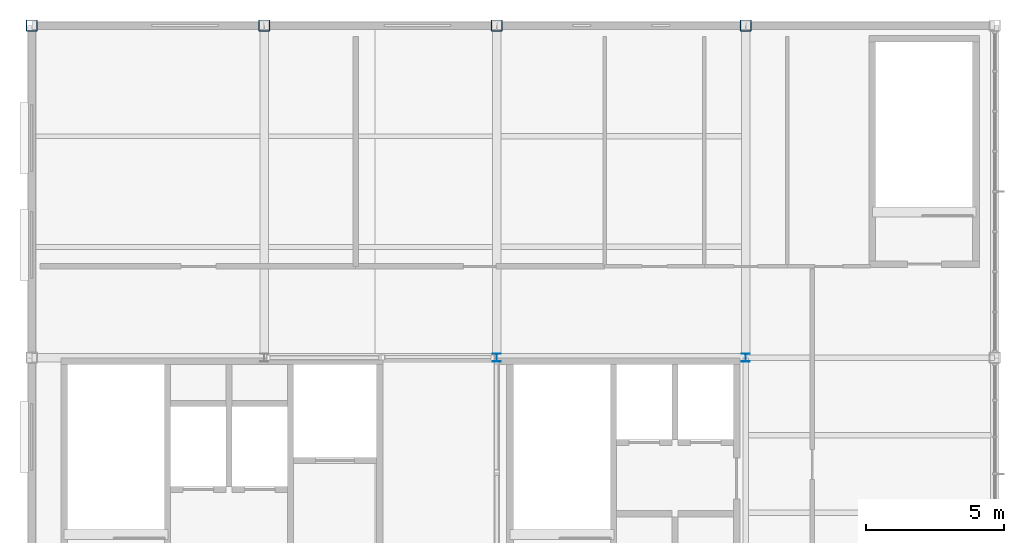
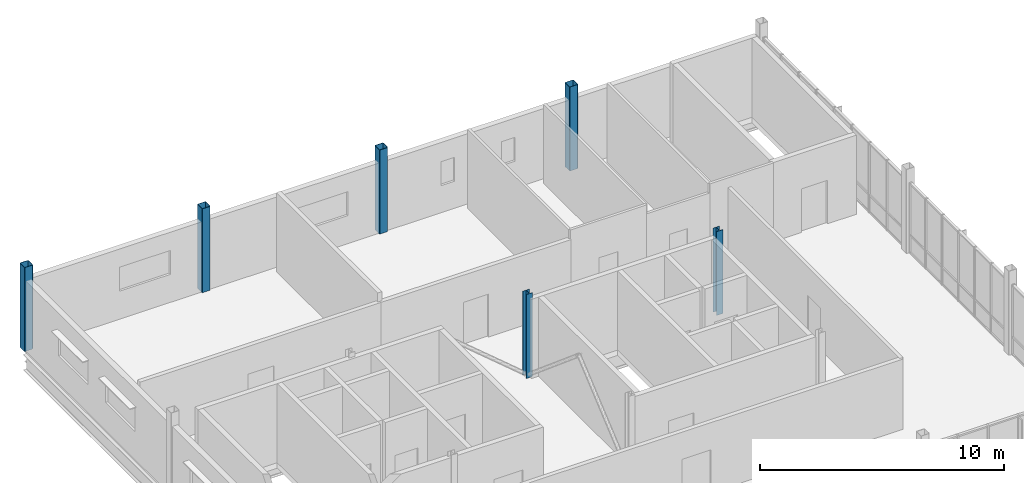
# One storey, part 2 of 15: 6 columns.
"""IFC4 building model written with IfcOpenShell, lengths in metres."""

from ifc_helpers import new_model, si_unit, direction, frame, origin, origin_2d, place, context, subcontext, project, spatial, hollow_rectangle, i_section, extrude, material, material_profile, profile_set, type_object, element, save


model = new_model("IFC4")

# Units and contexts
model_context = context("Model", 3, precision=1e-05, world=origin(), true_north=direction((0.0, 1.0)))
body_context = subcontext(model_context, "Body", "Model", "MODEL_VIEW")
ifc_project = project(units=[si_unit("LENGTHUNIT", "METRE"), si_unit("AREAUNIT", "SQUARE_METRE"), si_unit("VOLUMEUNIT", "CUBIC_METRE"), si_unit("PLANEANGLEUNIT", "RADIAN"), si_unit("MASSUNIT", "GRAM", prefix="KILO")], contexts=[model_context])

# Site, building, storey
site_placement = place(None, origin())
site = spatial("IfcSite", under=ifc_project, at=site_placement, CompositionType="ELEMENT")
building_placement = place(site_placement, origin())
building = spatial("IfcBuilding", under=site, at=building_placement, Name="Yukiwa Park Conservatory and Herbarium", CompositionType="ELEMENT")
storey_placement = place(building_placement, frame((0.0, 0.0, 61.199951171875)))
storey = spatial("IfcBuildingStorey", under=building, at=storey_placement, Name="L16", CompositionType="ELEMENT", Elevation=61.199951171875)

# Columns
ifc_material_1 = material(Name="Steel Q355D", Category="steel")
ifc_material_profile_1 = material_profile(ifc_material_1, hollow_rectangle(XDim=0.39990234375, YDim=0.39990234375, WallThickness=0.01611328125, InnerFilletRadius=0.01611328125, OuterFilletRadius=0.031982421875, at=origin_2d()), Name="BOX 400x400x16")
ifc_profile_set_1 = profile_set([ifc_material_profile_1], Name="Steel Q355D")
column_type_1 = type_object("IfcColumnType", Name="COL-TW-BOX400-EXT", PredefinedType="COLUMN", material=ifc_profile_set_1)
for number, where, z_axis, x_axis, name in (
    (1, (133.199951171875, 115.199951171875, 0.0), (0.0, 0.0, 1.0), (1.0, 0.0, 0.0), "L16 column V5-X1332-Y1152"),
    (2, (141.60009765625, 115.199951171875, 0.0), (0.0, 0.0, 1.0), (1.0, 0.0, 0.0), "L16 column V5-X1416-Y1152"),
    (3, (150.0, 115.199951171875, 0.0), (0.0, 0.0, 1.0), (1.0, 0.0, 0.0), "L16 column V5-X1500-Y1152"),
    (4, (159.0, 115.199951171875, 0.0), (0.0, 0.0, 1.0), (1.0, 0.0, 0.0), "L16 column V5-X1590-Y1152"),
):
    element("IfcColumn", number, at=place(storey_placement, frame(where, z_axis=z_axis, x_axis=x_axis)), inside=storey, type_object=column_type_1, Name=name, PredefinedType="COLUMN", context=body_context, shape_type="SweptSolid", body=[
        extrude(hollow_rectangle(XDim=0.39990234375, YDim=0.39990234375, WallThickness=0.01611328125, InnerFilletRadius=0.01611328125, OuterFilletRadius=0.031982421875, at=origin_2d()), origin(), (0.0, 0.0, 1.0), 4.199951171875),
    ])
ifc_material_2 = material(Name="Steel Q355D", Category="steel")
ifc_material_profile_2 = material_profile(ifc_material_2, i_section(OverallWidth=0.302001953125, OverallDepth=0.2939453125, WebThickness=0.011962890625, FlangeThickness=0.011962890625, FilletRadius=0.01806640625, at=origin_2d()), Name="HW 294x302x12x12")
ifc_profile_set_2 = profile_set([ifc_material_profile_2], Name="Steel Q355D")
column_type_2 = type_object("IfcColumnType", Name="COL-TW-HW294", PredefinedType="COLUMN", material=ifc_profile_set_2)
for number, where, z_axis, x_axis, name in (
    (5, (150.0, 103.199951171875, 0.0), (0.0, 0.0, 1.0), (1.0, 0.0, 0.0), "L16 column V5-X1500-Y1032"),
    (6, (159.0, 103.199951171875, 0.0), (0.0, 0.0, 1.0), (1.0, 0.0, 0.0), "L16 column V5-X1590-Y1032"),
):
    element("IfcColumn", number, at=place(storey_placement, frame(where, z_axis=z_axis, x_axis=x_axis)), inside=storey, type_object=column_type_2, Name=name, PredefinedType="COLUMN", context=body_context, shape_type="SweptSolid", body=[
        extrude(i_section(OverallWidth=0.302001953125, OverallDepth=0.2939453125, WebThickness=0.011962890625, FlangeThickness=0.011962890625, FilletRadius=0.01806640625, at=origin_2d()), origin(), (0.0, 0.0, 1.0), 4.199951171875),
    ])

save(model, "model.ifc")
